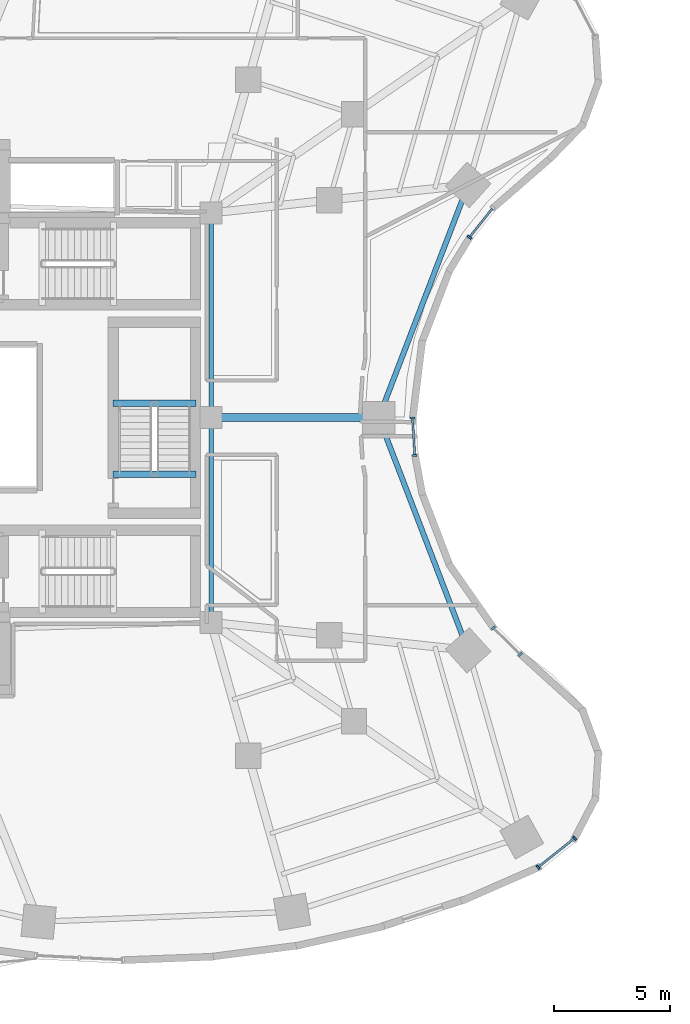
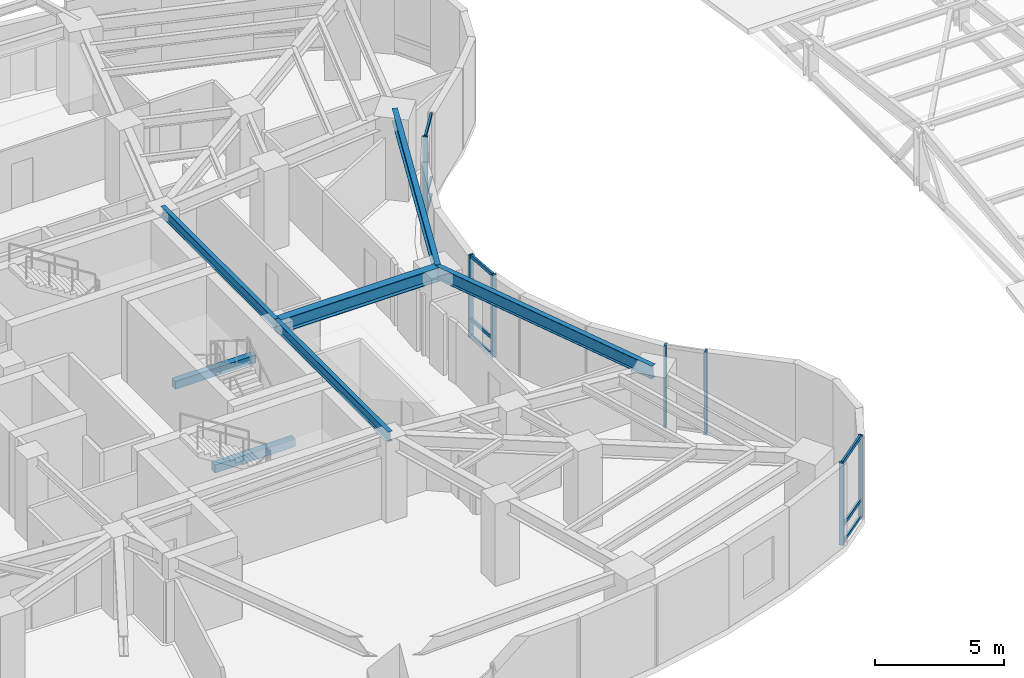
# One storey, part 5 of 17: 16 members, 7 beams, 4 elements without a shape of their own.
"""IFC4 building model written with IfcOpenShell, lengths in metres."""

from ifc_helpers import new_model, si_unit, direction, frame, origin, origin_2d, place, context, subcontext, project, spatial, rectangle, i_section, extrude, material, layer, layer_set, material_profile, profile_set, type_object, element, aggregate, save


model = new_model("IFC4")

# Units and contexts
model_context = context("Model", 3, precision=1e-05, world=origin(), true_north=direction((0.0, 1.0)))
body_context = subcontext(model_context, "Body", "Model", "MODEL_VIEW")
ifc_project = project(units=[si_unit("LENGTHUNIT", "METRE"), si_unit("AREAUNIT", "SQUARE_METRE"), si_unit("VOLUMEUNIT", "CUBIC_METRE"), si_unit("PLANEANGLEUNIT", "RADIAN"), si_unit("MASSUNIT", "GRAM", prefix="KILO")], contexts=[model_context])

# Site, building, storey
site_placement = place(None, origin())
site = spatial("IfcSite", under=ifc_project, at=site_placement, CompositionType="ELEMENT")
building_placement = place(site_placement, origin())
building = spatial("IfcBuilding", under=site, at=building_placement, Name="Korentha Bioscience Tower", CompositionType="ELEMENT")
storey_placement = place(building_placement, frame((0.0, 0.0, 25.800048828125)))
storey = spatial("IfcBuildingStorey", under=building, at=storey_placement, Name="L05", CompositionType="ELEMENT", Elevation=25.800048828125)

# Beams
ifc_material_1 = material(Name="Concrete C50", Category="concrete")
ifc_material_profile_1 = material_profile(ifc_material_1, rectangle(XDim=0.280029296875, YDim=0.3798828125, at=origin_2d()), Name="Concrete C50")
ifc_profile_set_1 = profile_set([ifc_material_profile_1], Name="Concrete C50 (ST-HB380)")
beam_type_1 = type_object("IfcBeamType", Name="Concrete Stair Header Beam RC 280x380", PredefinedType="BEAM", material=ifc_profile_set_1)
for number, where, z_axis, x_axis, name in (
    (1, (36.89990234375, 24.550048828125, -0.18994140625), (-1.0, 0.0, 0.0), (0.0, -1.0, 0.0), "L05 ST-3 Concrete Stair Header Beam"),
    (2, (36.89990234375, 27.6298828125, 1.909912109375), (-1.0, 0.0, 0.0), (0.0, -1.0, 0.0), "L05 ST-3 Half-Landing Header Beam 1"),
):
    element("IfcBeam", number, at=place(storey_placement, frame(where, z_axis=z_axis, x_axis=x_axis)), inside=storey, type_object=beam_type_1, Name=name, PredefinedType="BEAM", context=body_context, shape_type="SweptSolid", body=[
        extrude(rectangle(XDim=0.280029296875, YDim=0.3798828125, at=origin_2d()), origin(), (0.0, 0.0, 1.0), 3.599853515625),
    ])
ifc_material_2 = material(Name="Steel S355", Category="steel")
ifc_material_profile_2 = material_profile(ifc_material_2, i_section(OverallWidth=0.18994140625, OverallDepth=0.45703125, WebThickness=0.009033203125, FlangeThickness=0.014404296875, at=origin_2d()), Name="Steel S355")
ifc_profile_set_2 = profile_set([ifc_material_profile_2], Name="Steel S355 (MB-460)")
beam_type_2 = type_object("IfcBeamType", Name="Mid-Ring Tie Girder W460x74", PredefinedType="BEAM", material=ifc_profile_set_2)
for number, where, z_axis, x_axis, name in (
    (3, (37.550048828125, 18.14990234375, 3.67138671875), (0.0, 1.0, 0.0), (-1.0, 0.0, 0.0), "L05 Core Ring Tie Girder 06"),
    (4, (37.550048828125, 27.0, 3.67138671875), (0.0, 1.0, 0.0), (-1.0, 0.0, 0.0), "L05 Core Ring Tie Girder 07"),
):
    element("IfcBeam", number, at=place(storey_placement, frame(where, z_axis=z_axis, x_axis=x_axis)), inside=storey, type_object=beam_type_2, Name=name, PredefinedType="BEAM", context=body_context, shape_type="SweptSolid", body=[
        extrude(i_section(OverallWidth=0.18994140625, OverallDepth=0.45703125, WebThickness=0.009033203125, FlangeThickness=0.014404296875, at=origin_2d()), origin(), (0.0, 0.0, 1.0), 8.85009765625),
    ])

# Curtain wall, members
ifc_material_3 = material(Name="Thermally Broken Aluminium Frame", Category="aluminium")
ifc_layer = layer(ifc_material_3, 0.219970703125, Name="Thermally Broken Aluminium Frame")
ifc_layer_set = layer_set([ifc_layer], Name="Thermally Broken Aluminium Frame (CW-T1)")
curtain_wall_type = type_object("IfcCurtainWallType", Name="Standard Bioscience Lab Unitised Curtain Wall CW-T1", PredefinedType="USERDEFINED", material=ifc_layer_set)
curtain_wall_1_placement = place(storey_placement, origin())
curtain_wall_1 = element("IfcCurtainWall", 5, at=curtain_wall_1_placement, inside=storey, type_object=curtain_wall_type, Name="L05 Curtain Wall 37", ObjectType="UNITISED", PredefinedType="USERDEFINED")
ifc_material_4 = material(Name="Anodised Aluminium 6063-T6", Category="aluminium")
ifc_material_profile_3 = material_profile(ifc_material_4, rectangle(XDim=0.090087890625, YDim=0.199951171875, at=origin_2d()), Name="Anodised Aluminium 6063-T6")
ifc_profile_set_3 = profile_set([ifc_material_profile_3], Name="Anodised Aluminium 6063-T6 (CW-MUL)")
member_type_1 = type_object("IfcMemberType", Name="Mullion RECT 90x200", PredefinedType="MULLION", material=ifc_profile_set_3)
member_1_placement = place(storey_placement, frame((51.6865234375, 7.56298828125, 0.0), z_axis=(0.0, 0.0, 1.0), x_axis=(0.782287851332, 0.62291710336, 0.0)))
member_1 = element("IfcMember", 6, at=member_1_placement, type_object=member_type_1, Name="CW-L05-37 Mullion 1", PredefinedType="MULLION", context=body_context, shape_type="SweptSolid", body=[
    extrude(rectangle(XDim=0.090087890625, YDim=0.199951171875, at=origin_2d()), origin(), (0.0, 0.0, 1.0), 3.89990234375),
])
member_2_placement = place(storey_placement, frame((53.264892578125, 8.81982421875, 0.0), z_axis=(0.0, 0.0, 1.0), x_axis=(0.782287851332, 0.62291710336, 0.0)))
member_2 = element("IfcMember", 7, at=member_2_placement, type_object=member_type_1, Name="CW-L05-37 Mullion 2", PredefinedType="MULLION", context=body_context, shape_type="SweptSolid", body=[
    extrude(rectangle(XDim=0.090087890625, YDim=0.199951171875, at=origin_2d()), origin(), (0.0, 0.0, 1.0), 3.89990234375),
])

curtain_wall_2_placement = place(storey_placement, origin())
curtain_wall_2 = element("IfcCurtainWall", 8, at=curtain_wall_2_placement, inside=storey, type_object=curtain_wall_type, Name="L05 Curtain Wall 43", ObjectType="UNITISED", PredefinedType="USERDEFINED")
member_3_placement = place(storey_placement, frame((50.913818359375, 16.76513671875, 0.0), z_axis=(0.0, 0.0, 1.0), x_axis=(-0.713279246754, 0.700879958445, 0.0)))
member_3 = element("IfcMember", 9, at=member_3_placement, type_object=member_type_1, Name="CW-L05-43 Mullion 1", PredefinedType="MULLION", context=body_context, shape_type="SweptSolid", body=[
    extrude(rectangle(XDim=0.090087890625, YDim=0.199951171875, at=origin_2d()), origin(), (0.0, 0.0, 1.0), 3.89990234375),
])
member_4_placement = place(storey_placement, frame((49.752685546875, 17.90625, 0.0), z_axis=(0.0, 0.0, 1.0), x_axis=(-0.713279246754, 0.700879958445, 0.0)))
member_4 = element("IfcMember", 10, at=member_4_placement, type_object=member_type_1, Name="CW-L05-43 Mullion 2", PredefinedType="MULLION", context=body_context, shape_type="SweptSolid", body=[
    extrude(rectangle(XDim=0.090087890625, YDim=0.199951171875, at=origin_2d()), origin(), (0.0, 0.0, 1.0), 3.89990234375),
])
aggregate(curtain_wall_2, [member_3, member_4])

curtain_wall_3_placement = place(storey_placement, origin())
curtain_wall_3 = element("IfcCurtainWall", 11, at=curtain_wall_3_placement, inside=storey, type_object=curtain_wall_type, Name="L05 Curtain Wall 49", ObjectType="UNITISED", PredefinedType="USERDEFINED")
member_5_placement = place(storey_placement, frame((46.355712890625, 25.3603515625, 0.0), z_axis=(0.0, 0.0, 1.0), x_axis=(-0.061008272998, 0.998137260413, 0.0)))
member_5 = element("IfcMember", 12, at=member_5_placement, type_object=member_type_1, Name="CW-L05-49 Mullion 1", PredefinedType="MULLION", context=body_context, shape_type="SweptSolid", body=[
    extrude(rectangle(XDim=0.090087890625, YDim=0.199951171875, at=origin_2d()), origin(), (0.0, 0.0, 1.0), 3.89990234375),
])
member_6_placement = place(storey_placement, frame((46.25634765625, 26.985107421875, 0.0), z_axis=(0.0, 0.0, 1.0), x_axis=(-0.061008272998, 0.998137260413, 0.0)))
member_6 = element("IfcMember", 13, at=member_6_placement, type_object=member_type_1, Name="CW-L05-49 Mullion 2", PredefinedType="MULLION", context=body_context, shape_type="SweptSolid", body=[
    extrude(rectangle(XDim=0.090087890625, YDim=0.199951171875, at=origin_2d()), origin(), (0.0, 0.0, 1.0), 3.89990234375),
])

# Curtain wall, member
curtain_wall_4_placement = place(storey_placement, origin())
curtain_wall_4 = element("IfcCurtainWall", 14, at=curtain_wall_4_placement, inside=storey, type_object=curtain_wall_type, Name="L05 Curtain Wall 55", ObjectType="UNITISED", PredefinedType="USERDEFINED")
member_7_placement = place(storey_placement, frame((48.719482421875, 34.7978515625, 0.0), z_axis=(0.0, 0.0, 1.0), x_axis=(0.622520324648, 0.782603632371, 0.0)))
member_7 = element("IfcMember", 15, at=member_7_placement, type_object=member_type_1, Name="CW-L05-55 Mullion 1", PredefinedType="MULLION", context=body_context, shape_type="SweptSolid", body=[
    extrude(rectangle(XDim=0.090087890625, YDim=0.199951171875, at=origin_2d()), origin(), (0.0, 0.0, 1.0), 3.89990234375),
])

# Beams
ifc_material_profile_4 = material_profile(ifc_material_2, i_section(OverallWidth=0.22802734375, OverallDepth=0.60791015625, WebThickness=0.01123046875, FlangeThickness=0.017333984375, at=origin_2d()), Name="Steel S355")
ifc_profile_set_4 = profile_set([ifc_material_profile_4], Name="Steel S355 (SB-610)")
beam_type_3 = type_object("IfcBeamType", Name="Perimeter Ring Spandrel Girder W610x113", PredefinedType="SPANDREL", material=ifc_profile_set_4)
for number, where, z_axis, x_axis, name in (
    (16, (48.661865234375, 16.939208984375, 3.595947265625), (-0.358473520253, 0.93353989485, 0.0), (-0.93353989485, -0.358473520253, 0.0), "L05 Perimeter Spandrel Girder 14"),
    (17, (44.798583984375, 27.0, 3.595947265625), (0.358473520253, 0.93353989485, 0.0), (-0.93353989485, 0.358473520253, 0.0), "L05 Perimeter Spandrel Girder 15"),
):
    element("IfcBeam", number, at=place(storey_placement, frame(where, z_axis=z_axis, x_axis=x_axis)), inside=storey, type_object=beam_type_3, Name=name, PredefinedType="SPANDREL", context=body_context, shape_type="SweptSolid", body=[
        extrude(i_section(OverallWidth=0.22802734375, OverallDepth=0.60791015625, WebThickness=0.01123046875, FlangeThickness=0.017333984375, at=origin_2d()), origin(), (0.0, 0.0, 1.0), 10.777099609375),
    ])
ifc_material_profile_5 = material_profile(ifc_material_2, i_section(OverallWidth=0.35009765625, OverallDepth=0.64990234375, WebThickness=0.01611328125, FlangeThickness=0.02490234375, at=origin_2d()), Name="Steel S355")
ifc_profile_set_5 = profile_set([ifc_material_profile_5], Name="Steel S355 (RB-650)")
beam_type_4 = type_object("IfcBeamType", Name="Radial Laboratory Girder CVS 650x208", PredefinedType="BEAM", material=ifc_profile_set_5)
beam_placement = place(storey_placement, frame((37.550048828125, 27.0, 3.574951171875), z_axis=(1.0, 0.0, 0.0), x_axis=(0.0, 1.0, 0.0)))
element("IfcBeam", 18, at=beam_placement, inside=storey, type_object=beam_type_4, Name="L05 Radial Girder 15", PredefinedType="BEAM", context=body_context, shape_type="SweptSolid", body=[
    extrude(i_section(OverallWidth=0.35009765625, OverallDepth=0.64990234375, WebThickness=0.01611328125, FlangeThickness=0.02490234375, at=origin_2d()), origin(), (0.0, 0.0, 1.0), 7.24853515625),
])

# Member
ifc_material_profile_6 = material_profile(ifc_material_4, rectangle(XDim=0.090087890625, YDim=0.159912109375, at=origin_2d()), Name="Anodised Aluminium 6063-T6")
ifc_profile_set_6 = profile_set([ifc_material_profile_6], Name="Anodised Aluminium 6063-T6 (CW-TRN)")
member_type_2 = type_object("IfcMemberType", Name="Transom RECT 90x160", PredefinedType="USERDEFINED", material=ifc_profile_set_6)
member_8_placement = place(storey_placement, frame((51.7216796875, 7.591064453125, 0.044921875), z_axis=(0.78232471634, 0.622870803782, 0.0), x_axis=(-0.622870803782, 0.78232471634, 0.0)))
member_8 = element("IfcMember", 19, at=member_8_placement, type_object=member_type_2, Name="CW-L05-37 Bay 1 Transom 1", ObjectType="TRANSOM", PredefinedType="USERDEFINED", context=body_context, shape_type="SweptSolid", body=[
    extrude(rectangle(XDim=0.090087890625, YDim=0.159912109375, at=origin_2d()), origin(), (0.0, 0.0, 1.0), 1.927734375),
])

member_9_placement = place(storey_placement, frame((51.7216796875, 7.591064453125, 0.849853515625), z_axis=(0.78232471634, 0.622870803782, 0.0), x_axis=(-0.622870803782, 0.78232471634, 0.0)))
member_9 = element("IfcMember", 20, at=member_9_placement, type_object=member_type_2, Name="CW-L05-37 Bay 1 Transom 2", ObjectType="TRANSOM", PredefinedType="USERDEFINED", context=body_context, shape_type="SweptSolid", body=[
    extrude(rectangle(XDim=0.090087890625, YDim=0.159912109375, at=origin_2d()), origin(), (0.0, 0.0, 1.0), 1.927734375),
])

member_10_placement = place(storey_placement, frame((51.7216796875, 7.591064453125, 3.85498046875), z_axis=(0.78232471634, 0.622870803782, 0.0), x_axis=(-0.622870803782, 0.78232471634, 0.0)))
member_10 = element("IfcMember", 21, at=member_10_placement, type_object=member_type_2, Name="CW-L05-37 Bay 1 Transom 3", ObjectType="TRANSOM", PredefinedType="USERDEFINED", context=body_context, shape_type="SweptSolid", body=[
    extrude(rectangle(XDim=0.090087890625, YDim=0.159912109375, at=origin_2d()), origin(), (0.0, 0.0, 1.0), 1.927734375),
])

aggregate(curtain_wall_1, [member_1, member_2, member_8, member_9, member_10])

member_11_placement = place(storey_placement, frame((46.352783203125, 25.4052734375, 0.044921875), z_axis=(-0.060964804815, 0.998139916331, 0.0), x_axis=(-0.998139916331, -0.060964804815, 0.0)))
member_11 = element("IfcMember", 22, at=member_11_placement, type_object=member_type_2, Name="CW-L05-49 Bay 1 Transom 1", ObjectType="TRANSOM", PredefinedType="USERDEFINED", context=body_context, shape_type="SweptSolid", body=[
    extrude(rectangle(XDim=0.090087890625, YDim=0.159912109375, at=origin_2d()), origin(), (0.0, 0.0, 1.0), 1.537841796875),
])

member_12_placement = place(storey_placement, frame((46.352783203125, 25.4052734375, 0.849853515625), z_axis=(-0.060964804815, 0.998139916331, 0.0), x_axis=(-0.998139916331, -0.060964804815, 0.0)))
member_12 = element("IfcMember", 23, at=member_12_placement, type_object=member_type_2, Name="CW-L05-49 Bay 1 Transom 2", ObjectType="TRANSOM", PredefinedType="USERDEFINED", context=body_context, shape_type="SweptSolid", body=[
    extrude(rectangle(XDim=0.090087890625, YDim=0.159912109375, at=origin_2d()), origin(), (0.0, 0.0, 1.0), 1.537841796875),
])

member_13_placement = place(storey_placement, frame((46.352783203125, 25.4052734375, 3.85498046875), z_axis=(-0.060964804815, 0.998139916331, 0.0), x_axis=(-0.998139916331, -0.060964804815, 0.0)))
member_13 = element("IfcMember", 24, at=member_13_placement, type_object=member_type_2, Name="CW-L05-49 Bay 1 Transom 3", ObjectType="TRANSOM", PredefinedType="USERDEFINED", context=body_context, shape_type="SweptSolid", body=[
    extrude(rectangle(XDim=0.090087890625, YDim=0.159912109375, at=origin_2d()), origin(), (0.0, 0.0, 1.0), 1.537841796875),
])

aggregate(curtain_wall_3, [member_5, member_6, member_11, member_12, member_13])

member_14_placement = place(storey_placement, frame((48.74755859375, 34.8330078125, 0.044921875), z_axis=(0.622563336945, 0.782569416405, 0.0), x_axis=(-0.782569416405, 0.622563336945, 0.0)))
member_14 = element("IfcMember", 25, at=member_14_placement, type_object=member_type_2, Name="CW-L05-55 Bay 1 Transom 1", ObjectType="TRANSOM", PredefinedType="USERDEFINED", context=body_context, shape_type="SweptSolid", body=[
    extrude(rectangle(XDim=0.090087890625, YDim=0.159912109375, at=origin_2d()), origin(), (0.0, 0.0, 1.0), 1.5380859375),
])

member_15_placement = place(storey_placement, frame((48.74755859375, 34.8330078125, 0.849853515625), z_axis=(0.622563336945, 0.782569416405, 0.0), x_axis=(-0.782569416405, 0.622563336945, 0.0)))
member_15 = element("IfcMember", 26, at=member_15_placement, type_object=member_type_2, Name="CW-L05-55 Bay 1 Transom 2", ObjectType="TRANSOM", PredefinedType="USERDEFINED", context=body_context, shape_type="SweptSolid", body=[
    extrude(rectangle(XDim=0.090087890625, YDim=0.159912109375, at=origin_2d()), origin(), (0.0, 0.0, 1.0), 1.5380859375),
])

member_16_placement = place(storey_placement, frame((48.74755859375, 34.8330078125, 3.85498046875), z_axis=(0.622563336945, 0.782569416405, 0.0), x_axis=(-0.782569416405, 0.622563336945, 0.0)))
member_16 = element("IfcMember", 27, at=member_16_placement, type_object=member_type_2, Name="CW-L05-55 Bay 1 Transom 3", ObjectType="TRANSOM", PredefinedType="USERDEFINED", context=body_context, shape_type="SweptSolid", body=[
    extrude(rectangle(XDim=0.090087890625, YDim=0.159912109375, at=origin_2d()), origin(), (0.0, 0.0, 1.0), 1.5380859375),
])

aggregate(curtain_wall_4, [member_7, member_14, member_15, member_16])

save(model, "model.ifc")
